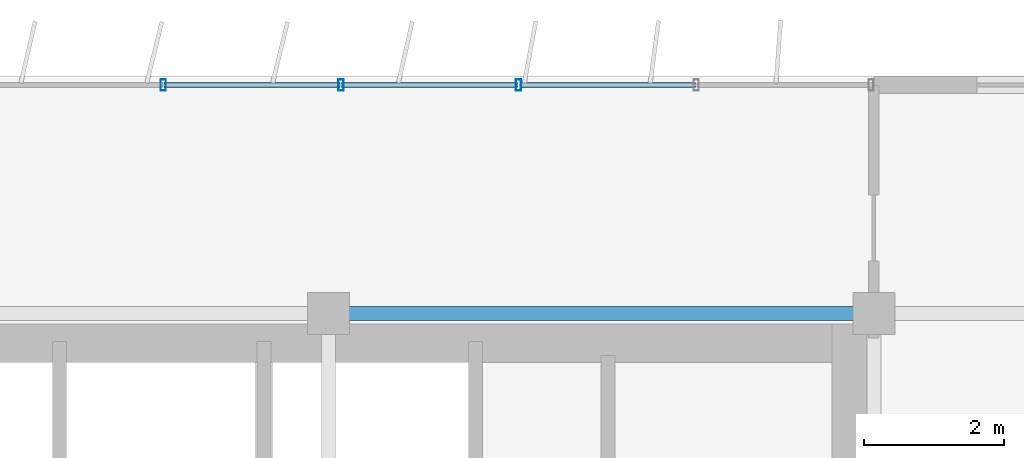
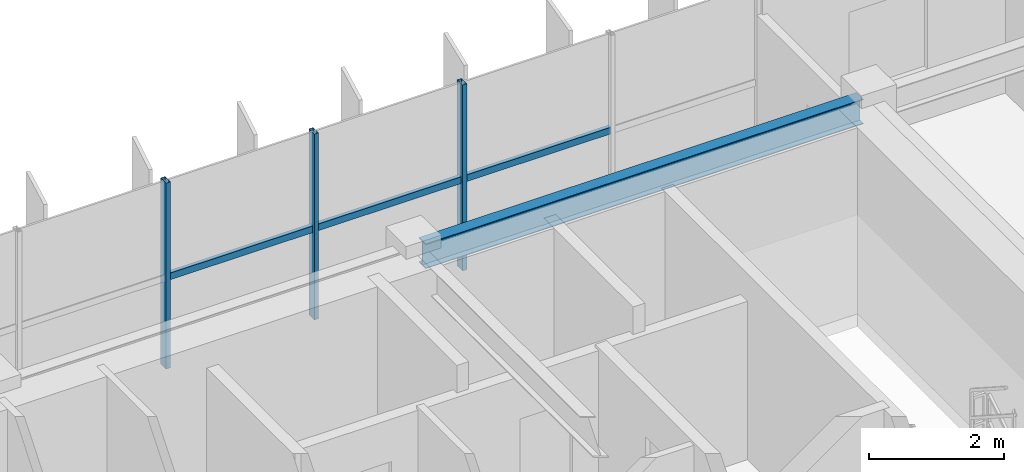
# One storey, part 12 of 22: 6 members, 1 beam, 1 element without a shape of its own.
"""IFC4 building model written with IfcOpenShell, lengths in metres."""

import ifcopenshell
import ifcopenshell.guid

model = None  # the IFC model being written
_history = None  # IfcOwnerHistory: only IFC2X3 demands one
_inside = {}  # id of a spatial element -> (the spatial element, [elements in it])
_under = {}  # id of a project, library or spatial element -> (it, [spatial elements below it])
_declared = {}  # id of a project -> (the project, [libraries it declares])
_typed = {}  # id of a type object -> (the type object, [elements of that type])
_made_of = {}  # id of a material, layer set ... -> (it, [elements and type objects made of it])


def new_model(schema):
    """Start an empty IFC model of exactly this schema.

    Asked for "IFC4X3", IfcOpenShell would pick the latest addendum, in which some entities
    have other attributes; the version numbers below select the first issue.
    IFC2X3 requires an IfcOwnerHistory on every rooted entity: one is made here for all.
    """
    global model, _history
    if schema == "IFC4X3":
        model = ifcopenshell.file(schema_version=(4, 3, 0, 0))
    else:
        model = ifcopenshell.file(schema=schema)
    _inside.clear()
    _under.clear()
    _declared.clear()
    _typed.clear()
    _made_of.clear()
    _history = None
    if model.schema == "IFC2X3":
        org = make("IfcOrganization", Name="unknown")
        user = make(
            "IfcPersonAndOrganization",
            ThePerson=make("IfcPerson", FamilyName="unknown"),
            TheOrganization=org,
        )
        app = make(
            "IfcApplication",
            ApplicationDeveloper=org,
            Version="unknown",
            ApplicationFullName="unknown",
            ApplicationIdentifier="unknown",
        )
        _history = make(
            "IfcOwnerHistory",
            OwningUser=user,
            OwningApplication=app,
            ChangeAction="ADDED",
            CreationDate=0,
        )
    return model


def make(cls, **values):
    """One entity of the class cls with the attributes given. An attribute that is None is left unset."""
    return model.create_entity(
        cls, **{name: value for name, value in values.items() if value is not None}
    )


def rooted(cls, **values):
    """An entity with a GlobalId (a new one), such as an element, a storey or a relation."""
    return make(cls, GlobalId=ifcopenshell.guid.new(), OwnerHistory=_history, **values)


def si_unit(unit_type, name, prefix=None):
    """IfcSIUnit, for example si_unit("LENGTHUNIT", "METRE", prefix="MILLI")."""
    return make("IfcSIUnit", UnitType=unit_type, Prefix=prefix, Name=name)


def assignment(units):
    """IfcUnitAssignment: the units of a project."""
    return None if units is None else make("IfcUnitAssignment", Units=units)


def point(xyz):
    """IfcCartesianPoint."""
    return None if xyz is None else make("IfcCartesianPoint", Coordinates=xyz)


def direction(xyz):
    """IfcDirection."""
    return None if xyz is None else make("IfcDirection", DirectionRatios=xyz)


def frame(location, z_axis=None, x_axis=None):
    """IfcAxis2Placement3D, a coordinate frame: its origin and axes. An axis left out is left unset."""
    return make(
        "IfcAxis2Placement3D",
        Location=point(location),
        Axis=direction(z_axis),
        RefDirection=direction(x_axis),
    )


def frame_2d(location, x_axis=None):
    """IfcAxis2Placement2D, a coordinate frame in the plane: its origin and x axis."""
    return make(
        "IfcAxis2Placement2D", Location=point(location), RefDirection=direction(x_axis)
    )


def origin():
    """The frame at (0, 0, 0) with its axes left unset."""
    return frame((0.0, 0.0, 0.0))


def origin_2d():
    """The frame at (0, 0) in the plane with its x axis left unset."""
    return frame_2d((0.0, 0.0))


def place(relative_to, where):
    """IfcLocalPlacement: puts the frame where relative to a parent placement (None: the world)."""
    return make(
        "IfcLocalPlacement", PlacementRelTo=relative_to, RelativePlacement=where
    )


def context(
    kind, dimensions, precision=None, world=None, true_north=None, identifier=None
):
    """IfcGeometricRepresentationContext, for example the 3D "Model" context."""
    return make(
        "IfcGeometricRepresentationContext",
        ContextIdentifier=identifier,
        ContextType=kind,
        CoordinateSpaceDimension=dimensions,
        Precision=precision,
        WorldCoordinateSystem=world,
        TrueNorth=true_north,
    )


def subcontext(parent, identifier, kind, view, scale=None):
    """IfcGeometricRepresentationSubContext, for example "Body" below "Model"."""
    return make(
        "IfcGeometricRepresentationSubContext",
        ContextIdentifier=identifier,
        ContextType=kind,
        ParentContext=parent,
        TargetScale=scale,
        TargetView=view,
    )


def project(units=None, contexts=None):
    """IfcProject with its units and contexts."""
    return rooted(
        "IfcProject",
        Name="project",
        RepresentationContexts=contexts,
        UnitsInContext=assignment(units),
    )


def spatial(cls, under=None, at=None, **own):
    """A site, building, storey or space (cls), placed at a placement, below another one or the project."""
    s = rooted(cls, ObjectPlacement=at, **own)
    if under is not None:
        _under.setdefault(under.id(), (under, []))[1].append(s)
    return s


def profile(cls, at=None, kind="AREA", **sizes):
    """A parametric profile (cls). Its sizes go by their IFC names, for example OverallWidth=200.0."""
    return make(cls, ProfileType=kind, Position=at, **sizes)


def hollow_rectangle(**sizes):
    """IfcRectangleHollowProfileDef."""
    return profile("IfcRectangleHollowProfileDef", **sizes)


def i_section(**sizes):
    """IfcIShapeProfileDef."""
    return profile("IfcIShapeProfileDef", **sizes)


def extrude(swept, where, along, depth):
    """IfcExtrudedAreaSolid: the profile swept, set in the frame where, extruded along a direction by depth."""
    return make(
        "IfcExtrudedAreaSolid",
        SweptArea=swept,
        Position=where,
        ExtrudedDirection=direction(along),
        Depth=depth,
    )


def shape(context_of_items, identifier, shape_type, items):
    """IfcShapeRepresentation: the items that make up one representation, for example the "Body"."""
    return make(
        "IfcShapeRepresentation",
        ContextOfItems=context_of_items,
        RepresentationIdentifier=identifier,
        RepresentationType=shape_type,
        Items=items,
    )


def source(mapping_origin, context_of_items, identifier, shape_type, items):
    """IfcRepresentationMap: a shape defined once, which mapped items show again and again."""
    return make(
        "IfcRepresentationMap",
        MappingOrigin=mapping_origin,
        MappedRepresentation=shape(context_of_items, identifier, shape_type, items),
    )


def transform(
    local_origin,
    x_axis=None,
    y_axis=None,
    z_axis=None,
    scale=None,
    scale2=None,
    scale3=None,
    uniform=True,
):
    """IfcCartesianTransformationOperator3D, or its non-uniform kind. x_axis, y_axis, z_axis: its Axis1, 2, 3."""
    if uniform:
        return make(
            "IfcCartesianTransformationOperator3D",
            Axis1=direction(x_axis),
            Axis2=direction(y_axis),
            LocalOrigin=point(local_origin),
            Scale=scale,
            Axis3=direction(z_axis),
        )
    return make(
        "IfcCartesianTransformationOperator3DnonUniform",
        Axis1=direction(x_axis),
        Axis2=direction(y_axis),
        LocalOrigin=point(local_origin),
        Scale=scale,
        Axis3=direction(z_axis),
        Scale2=scale2,
        Scale3=scale3,
    )


def mapped(mapping_source, mapping_target):
    """IfcMappedItem: shows the shape of a source again, moved by a transform."""
    return make(
        "IfcMappedItem", MappingSource=mapping_source, MappingTarget=mapping_target
    )


def material(Name=None, Category=None):
    """IfcMaterial."""
    return make("IfcMaterial", Name=Name, Category=Category)


def material_profile(
    of_material, cross_section, Name=None, Category=None, Priority=None
):
    """IfcMaterialProfile: a cross section and its material."""
    return make(
        "IfcMaterialProfile",
        Name=Name,
        Material=of_material,
        Profile=cross_section,
        Priority=Priority,
        Category=Category,
    )


def profile_set(profiles, Name=None, composite=None):
    """IfcMaterialProfileSet."""
    return make(
        "IfcMaterialProfileSet",
        Name=Name,
        MaterialProfiles=profiles,
        CompositeProfile=composite,
    )


def made_of(thing, what):
    """Note that an element or type object is made of a material, layer set ...; save() writes the relation."""
    if what is not None:
        _made_of.setdefault(what.id(), (what, []))[1].append(thing)
    return thing


def type_object(cls, material=None, **own):
    """A type object (cls), such as IfcWallType, which elements share."""
    return made_of(rooted(cls, **own), material)


def element(
    cls,
    number,
    at=None,
    inside=None,
    cuts=None,
    type_object=None,
    material=None,
    context=None,
    identifier="Body",
    shape_type=None,
    held_by="IfcProductDefinitionShape",
    body=None,
    shapes=None,
    **own,
):
    """One element of the class cls, such as IfcWall. Its Tag is "e" and its number.

    at: its placement. inside: the storey or other place that contains it. cuts: it is an
    opening in that element (IfcRelVoidsElement). A single representation is given by context,
    identifier, shape_type and body (its items); several are given by shapes. held_by: the class
    of the entity that holds the representations. save() writes the other relations.
    """
    e = rooted(cls, Tag="e%d" % number, ObjectPlacement=at, **own)
    if body is not None:
        shapes = [shape(context, identifier, shape_type, body)]
    if shapes is not None:
        e.Representation = make(held_by, Representations=shapes)
    if inside is not None:
        _inside.setdefault(inside.id(), (inside, []))[1].append(e)
    if cuts is not None:
        rooted(
            "IfcRelVoidsElement", RelatingBuildingElement=cuts, RelatedOpeningElement=e
        )
    if type_object is not None:
        _typed.setdefault(type_object.id(), (type_object, []))[1].append(e)
    return made_of(e, material)


def aggregate(whole, parts):
    """IfcRelAggregates: a whole, such as a stair, and the parts it consists of."""
    return rooted("IfcRelAggregates", RelatingObject=whole, RelatedObjects=parts)


def save(model, path):
    """Write the relations noted so far, then the file.

    IfcRelAggregates (storeys below a building ...), IfcRelContainedInSpatialStructure (elements
    in a storey), IfcRelDefinesByType, IfcRelAssociatesMaterial and IfcRelDeclares: one each for
    every whole, place, type object, material and project.
    """
    for whole, parts in _under.values():
        aggregate(whole, parts)
    for where, things in _inside.values():
        rooted(
            "IfcRelContainedInSpatialStructure",
            RelatedElements=things,
            RelatingStructure=where,
        )
    for kind, things in _typed.values():
        rooted("IfcRelDefinesByType", RelatedObjects=things, RelatingType=kind)
    for what, things in _made_of.values():
        rooted("IfcRelAssociatesMaterial", RelatedObjects=things, RelatingMaterial=what)
    for by, libraries in _declared.values():
        rooted("IfcRelDeclares", RelatingContext=by, RelatedDefinitions=libraries)
    model.write(path)


model = new_model("IFC4")

# Units and contexts
model_context = context("Model", 3, precision=1e-05, world=origin(), true_north=direction((0.0, 1.0)))
body_context = subcontext(model_context, "Body", "Model", "MODEL_VIEW")
ifc_project = project(units=[si_unit("LENGTHUNIT", "METRE"), si_unit("AREAUNIT", "SQUARE_METRE"), si_unit("VOLUMEUNIT", "CUBIC_METRE"), si_unit("PLANEANGLEUNIT", "RADIAN"), si_unit("MASSUNIT", "GRAM", prefix="KILO")], contexts=[model_context])

# Site, building, storey
site_placement = place(None, origin())
site = spatial("IfcSite", under=ifc_project, at=site_placement, CompositionType="ELEMENT")
building_placement = place(site_placement, origin())
building = spatial("IfcBuilding", under=site, at=building_placement, Name="Trelvane Seafront Commons", CompositionType="ELEMENT")
storey_placement = place(building_placement, frame((0.0, 0.0, 288.300048828125)))
storey = spatial("IfcBuildingStorey", under=building, at=storey_placement, Name="L75", CompositionType="ELEMENT", Elevation=288.300048828125)

# Beam
ifc_material_1 = material(Name="Steel SM355 (S355)", Category="steel")
ifc_material_profile_1 = material_profile(ifc_material_1, i_section(OverallWidth=0.199951171875, OverallDepth=0.449951171875, WebThickness=0.009033203125, FlangeThickness=0.013916015625, at=origin_2d()), Name="H-450x200x9x14")
ifc_profile_set_1 = profile_set([ifc_material_profile_1], Name="Steel SM355 (S355)")
beam_type = type_object("IfcBeamType", Name="STR-SPD-H450", PredefinedType="SPANDREL", material=ifc_profile_set_1)
shared_shape_1 = source(origin(), body_context, "Body", "SweptSolid", [
    extrude(i_section(OverallWidth=0.199951171875, OverallDepth=0.449951171875, WebThickness=0.009033203125, FlangeThickness=0.013916015625, at=origin_2d()), origin(), (0.0, 0.0, 1.0), 7.5),
])
beam_placement = place(storey_placement, frame((51.14990234375, 45.10009765625, 3.14501953125), z_axis=(1.0, 0.0, 0.0), x_axis=(0.0, 1.0, 0.0)))
element("IfcBeam", 1, at=beam_placement, inside=storey, type_object=beam_type, Name="L75 Primary Girder G-27", PredefinedType="SPANDREL", context=body_context, shape_type="MappedRepresentation", body=[
    mapped(shared_shape_1, transform((0.0, 0.0, 0.0), x_axis=(1.0, 0.0, 0.0), y_axis=(0.0, 1.0, 0.0), z_axis=(0.0, 0.0, 1.0), scale=1.0)),
])

# Curtain wall, members
ifc_material_2 = material(Name="Anodised pale-silver aluminium", Category="aluminium")
curtain_wall_type = type_object("IfcCurtainWallType", Name="ARCH-CW5-UPTOWER", PredefinedType="NOTDEFINED", material=ifc_material_2)
curtain_wall_placement = place(storey_placement, origin())
curtain_wall = element("IfcCurtainWall", 2, at=curtain_wall_placement, inside=storey, type_object=curtain_wall_type, Name="CW-L75-0119", PredefinedType="NOTDEFINED")
ifc_material_profile_2 = material_profile(ifc_material_2, hollow_rectangle(XDim=0.070068359375, YDim=0.1201171875, WallThickness=0.00390625, at=origin_2d()), Name="TRAN-70x120x4")
ifc_profile_set_2 = profile_set([ifc_material_profile_2], Name="Anodised pale-silver aluminium")
member_type_1 = type_object("IfcMemberType", Name="ARCH-CW-TRAN-120", PredefinedType="USERDEFINED", material=ifc_profile_set_2)
shared_shape_2 = source(origin(), body_context, "Body", "SweptSolid", [
    extrude(hollow_rectangle(XDim=0.070068359375, YDim=0.1201171875, WallThickness=0.00390625, at=origin_2d()), origin(), (0.0, 0.0, 1.0), 2.51708984375),
])
member_1_placement = place(storey_placement, frame((51.1884765625, 48.3701171875, 1.617919921875), z_axis=(1.0, 0.0, 0.0), x_axis=(0.0, 1.0, 0.0)))
member_1 = element("IfcMember", 3, at=member_1_placement, type_object=member_type_1, Name="CW-L75-0119-T14", ObjectType="TRANSOM", PredefinedType="USERDEFINED", context=body_context, shape_type="MappedRepresentation", body=[
    mapped(shared_shape_2, transform((0.0, 0.0, 0.0), x_axis=(1.0, 0.0, 0.0), y_axis=(0.0, 1.0, 0.0), z_axis=(0.0, 0.0, 1.0), scale=1.0)),
])
shared_shape_3 = source(origin(), body_context, "Body", "SweptSolid", [
    extrude(hollow_rectangle(XDim=0.070068359375, YDim=0.1201171875, WallThickness=0.00390625, at=origin_2d()), origin(), (0.0, 0.0, 1.0), 2.517333984375),
])
member_2_placement = place(storey_placement, frame((48.647216796875, 48.3701171875, 1.617919921875), z_axis=(1.0, 0.0, 0.0), x_axis=(0.0, 1.0, 0.0)))
member_2 = element("IfcMember", 4, at=member_2_placement, type_object=member_type_1, Name="CW-L75-0119-T13", ObjectType="TRANSOM", PredefinedType="USERDEFINED", context=body_context, shape_type="MappedRepresentation", body=[
    mapped(shared_shape_3, transform((0.0, 0.0, 0.0), x_axis=(1.0, 0.0, 0.0), y_axis=(0.0, 1.0, 0.0), z_axis=(0.0, 0.0, 1.0), scale=1.0)),
])
member_3_placement = place(storey_placement, frame((53.7294921875, 48.3701171875, 1.617919921875), z_axis=(1.0, 0.0, 0.0), x_axis=(0.0, 1.0, 0.0)))
member_3 = element("IfcMember", 5, at=member_3_placement, type_object=member_type_1, Name="CW-L75-0119-T15", ObjectType="TRANSOM", PredefinedType="USERDEFINED", context=body_context, shape_type="MappedRepresentation", body=[
    mapped(shared_shape_3, transform((0.0, 0.0, 0.0), x_axis=(1.0, 0.0, 0.0), y_axis=(0.0, 1.0, 0.0), z_axis=(0.0, 0.0, 1.0), scale=1.0)),
])
ifc_material_profile_3 = material_profile(ifc_material_2, hollow_rectangle(XDim=0.074951171875, YDim=0.159912109375, WallThickness=0.00390625, at=origin_2d()), Name="MULL-75x160x4")
ifc_profile_set_3 = profile_set([ifc_material_profile_3], Name="Anodised pale-silver aluminium")
member_type_2 = type_object("IfcMemberType", Name="ARCH-CW-MULL-160", PredefinedType="MULLION", material=ifc_profile_set_3)
shared_shape_4 = source(origin(), body_context, "Body", "SweptSolid", [
    extrude(hollow_rectangle(XDim=0.074951171875, YDim=0.159912109375, WallThickness=0.00390625, at=origin_2d()), origin(), (0.0, 0.0, 1.0), 3.369873046875),
])
member_4_placement = place(storey_placement, frame((48.63525390625, 48.3701171875, 0.0), z_axis=(0.0, 0.0, 1.0), x_axis=(1.0, 0.0, 0.0)))
member_4 = element("IfcMember", 6, at=member_4_placement, type_object=member_type_2, Name="CW-L75-0119-M13", PredefinedType="MULLION", context=body_context, shape_type="MappedRepresentation", body=[
    mapped(shared_shape_4, transform((0.0, 0.0, 0.0), x_axis=(1.0, 0.0, 0.0), y_axis=(0.0, 1.0, 0.0), z_axis=(0.0, 0.0, 1.0), scale=1.0)),
])
member_5_placement = place(storey_placement, frame((51.176513671875, 48.3701171875, 0.0), z_axis=(0.0, 0.0, 1.0), x_axis=(1.0, 0.0, 0.0)))
member_5 = element("IfcMember", 7, at=member_5_placement, type_object=member_type_2, Name="CW-L75-0119-M14", PredefinedType="MULLION", context=body_context, shape_type="MappedRepresentation", body=[
    mapped(shared_shape_4, transform((0.0, 0.0, 0.0), x_axis=(1.0, 0.0, 0.0), y_axis=(0.0, 1.0, 0.0), z_axis=(0.0, 0.0, 1.0), scale=1.0)),
])
member_6_placement = place(storey_placement, frame((53.717529296875, 48.3701171875, 0.0), z_axis=(0.0, 0.0, 1.0), x_axis=(1.0, 0.0, 0.0)))
member_6 = element("IfcMember", 8, at=member_6_placement, type_object=member_type_2, Name="CW-L75-0119-M15", PredefinedType="MULLION", context=body_context, shape_type="MappedRepresentation", body=[
    mapped(shared_shape_4, transform((0.0, 0.0, 0.0), x_axis=(1.0, 0.0, 0.0), y_axis=(0.0, 1.0, 0.0), z_axis=(0.0, 0.0, 1.0), scale=1.0)),
])
aggregate(curtain_wall, [member_4, member_5, member_6, member_2, member_1, member_3])

save(model, "model.ifc")
